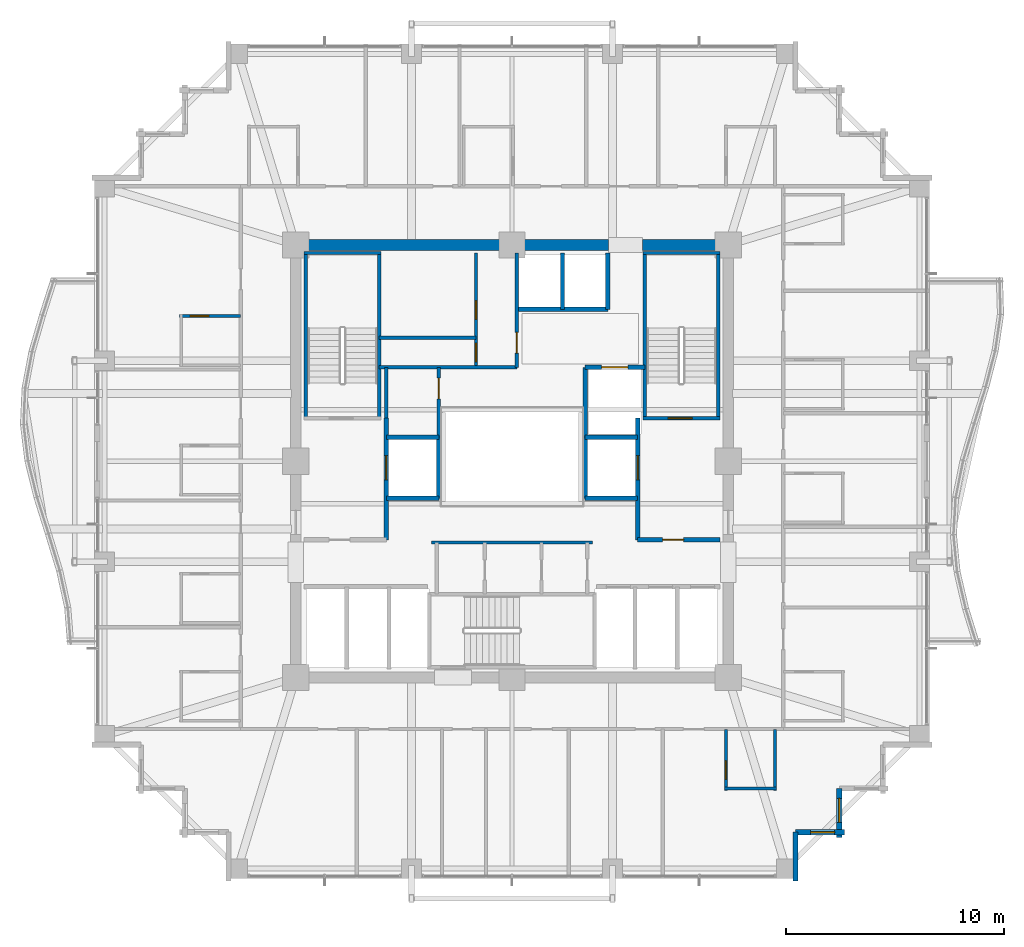
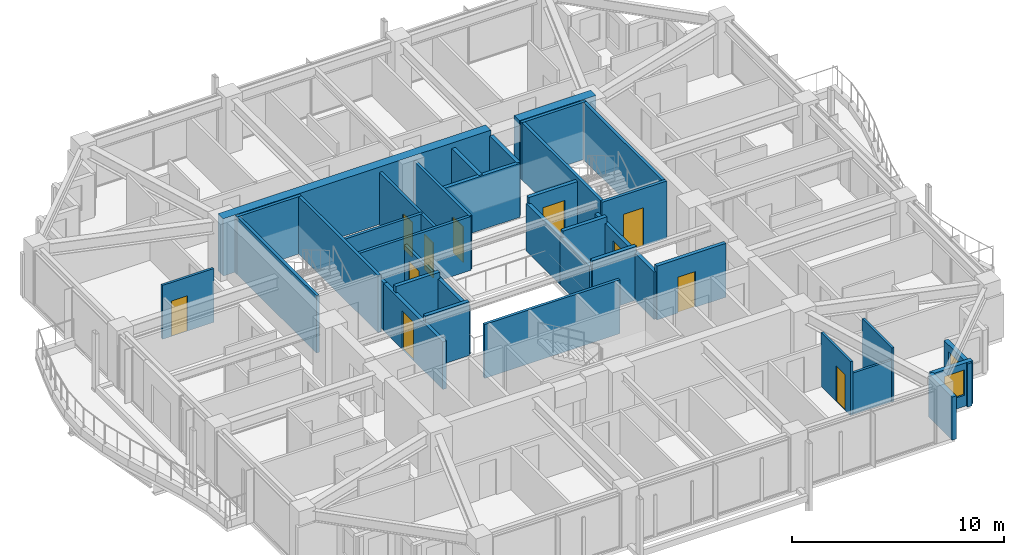
# One storey, part 32 of 37: 37 walls, 11 doors, 2 windows, 13 openings.
"""IFC4 building model written with IfcOpenShell, lengths in metres."""

from ifc_helpers import new_model, si_unit, direction, frame, frame_2d, origin, place, context, subcontext, project, spatial, rectangle, extrude, material, layer, layer_set, type_object, element, fill, save


model = new_model("IFC4")

# Units and contexts
model_context = context("Model", 3, precision=1e-05, world=origin(), true_north=direction((0.0, 1.0)))
body_context = subcontext(model_context, "Body", "Model", "MODEL_VIEW")
ifc_project = project(units=[si_unit("LENGTHUNIT", "METRE"), si_unit("AREAUNIT", "SQUARE_METRE"), si_unit("VOLUMEUNIT", "CUBIC_METRE"), si_unit("PLANEANGLEUNIT", "RADIAN"), si_unit("MASSUNIT", "GRAM", prefix="KILO")], contexts=[model_context])

# Site, building, storey
site_placement = place(None, origin())
site = spatial("IfcSite", under=ifc_project, at=site_placement, CompositionType="ELEMENT")
building_placement = place(site_placement, origin())
building = spatial("IfcBuilding", under=site, at=building_placement, Name="Kolvaren Belvedere", CompositionType="ELEMENT")
storey_placement = place(building_placement, frame((0.0, 0.0, 156.89990234375)))
storey = spatial("IfcBuildingStorey", under=building, at=storey_placement, Name="L45", CompositionType="ELEMENT", Elevation=156.89990234375)

# Walls
ifc_material_1 = material(Name="Concrete C50/60", Category="concrete")
ifc_layer_1 = layer(ifc_material_1, 0.5)
ifc_layer_set_1 = layer_set([ifc_layer_1], Name="Concrete C50/60")
wall_type_1 = type_object("IfcWallType", Name="CW-CORE-500", PredefinedType="SHEAR", material=ifc_layer_set_1)
wall_1_placement = place(storey_placement, frame((-10.14990234375, 9.89990234375, 0.0), z_axis=(0.0, 0.0, 1.0), x_axis=(1.0, 0.0, 0.0)))
element("IfcWall", 1, at=wall_1_placement, inside=storey, type_object=wall_type_1, Name="L45 North Core Shear Wall 1", PredefinedType="SHEAR", context=body_context, shape_type="SweptSolid", body=[
    extrude(rectangle(XDim=14.56982421875, YDim=0.5, at=frame_2d((7.284912109375, 0.0))), origin(), (0.0, 0.0, 1.0), 3.300048828125),
])
wall_2_placement = place(storey_placement, frame((5.97998046875, 9.89990234375, 0.0), z_axis=(0.0, 0.0, 1.0), x_axis=(1.0, 0.0, 0.0)))
element("IfcWall", 2, at=wall_2_placement, inside=storey, type_object=wall_type_1, Name="L45 North Core Shear Wall 2", PredefinedType="SHEAR", context=body_context, shape_type="SweptSolid", body=[
    extrude(rectangle(XDim=4.169921875, YDim=0.5, at=frame_2d((2.0849609375, 0.0))), origin(), (0.0, 0.0, 1.0), 3.300048828125),
])
ifc_material_2 = material(Name="Concrete C50/60", Category="concrete")
ifc_layer_2 = layer(ifc_material_2, 0.159912109375)
ifc_layer_set_2 = layer_set([ifc_layer_2], Name="Concrete C50/60")
wall_type_2 = type_object("IfcWallType", Name="CW-STAIR-160", PredefinedType="SHEAR", material=ifc_layer_set_2)
wall_3_placement = place(storey_placement, frame((-9.52001953125, 9.530029296875, 0.0), z_axis=(0.0, 0.0, 1.0), x_axis=(1.0, 0.0, 0.0)))
element("IfcWall", 3, at=wall_3_placement, inside=storey, type_object=wall_type_2, Name="L45 Stair ST-1 North Shear Wall", PredefinedType="SHEAR", context=body_context, shape_type="SweptSolid", body=[
    extrude(rectangle(XDim=3.52001953125, YDim=0.159912109375, at=frame_2d((1.760009765625, 0.0))), origin(), (0.0, 0.0, 1.0), 3.300048828125),
])
for number, where, z_axis, x_axis, name in (
    (4, (-9.429931640625, 1.969970703125, 0.0), (0.0, 0.0, 1.0), (0.0, 1.0, 0.0), "L45 Stair ST-1 West Shear Wall"),
    (5, (-6.080078125, 1.969970703125, 0.0), (0.0, 0.0, 1.0), (0.0, 1.0, 0.0), "L45 Stair ST-1 East Shear Wall"),
):
    element("IfcWall", number, at=place(storey_placement, frame(where, z_axis=z_axis, x_axis=x_axis)), inside=storey, type_object=wall_type_2, Name=name, PredefinedType="SHEAR", context=body_context, shape_type="SweptSolid", body=[
        extrude(rectangle(XDim=7.56005859375, YDim=0.159912109375, at=frame_2d((3.780029296875, 0.0))), origin(), (0.0, 0.0, 1.0), 3.300048828125),
    ])

# Wall, opening, door
wall_4_placement = place(storey_placement, frame((6.0, 1.969970703125, 0.0), z_axis=(0.0, 0.0, 1.0), x_axis=(1.0, 0.0, 0.0)))
wall_4 = element("IfcWall", 6, at=wall_4_placement, inside=storey, type_object=wall_type_2, Name="L45 Stair ST-2 South Shear Wall", PredefinedType="SHEAR", context=body_context, shape_type="SweptSolid", body=[
    extrude(rectangle(XDim=3.52001953125, YDim=0.159912109375, at=frame_2d((1.760009765625, 0.0))), origin(), (0.0, 0.0, 1.0), 3.300048828125),
])
opening_1_placement = place(wall_4_placement, frame((1.14990234375, 0.0, 0.0)))
opening_1 = element("IfcOpeningElement", 7, at=opening_1_placement, cuts=wall_4, Name="Opening D-FD90", PredefinedType="OPENING", context=body_context, shape_type="SweptSolid", body=[
    extrude(rectangle(XDim=1.10009765625, YDim=2.199951171875, at=frame_2d((0.550048828125, 1.10009765625))), frame((0.0, 0.08984375, 0.0), z_axis=(0.0, -1.0, 0.0), x_axis=(1.0, 0.0, 0.0)), (0.0, 0.0, 1.0), 0.179931640625),
])
ifc_material_3 = material(Name="Painted hollow stainless steel", Category="steel")
door_type_1 = type_object("IfcDoorType", Name="DR-FD90-1100", OperationType="NOTDEFINED", PredefinedType="DOOR", material=ifc_material_3)
door_1_placement = place(opening_1_placement, origin())
door_1 = element("IfcDoor", 8, at=door_1_placement, inside=storey, type_object=door_type_1, Name="L45 Stair ST-2 Fire Door", OperationType="SINGLE_SWING_RIGHT", OverallHeight=2.199951171875, OverallWidth=1.10009765625, PredefinedType="DOOR", context=body_context, shape_type="SweptSolid", body=[
    extrude(rectangle(XDim=1.10009765625, YDim=2.199951171875, at=frame_2d((0.550048828125, 1.10009765625))), frame((0.0, 0.02490234375, 0.0), z_axis=(0.0, -1.0, 0.0), x_axis=(1.0, 0.0, 0.0)), (0.0, 0.0, 1.0), 0.050048828125),
])
fill(opening_1, door_1)

# Walls
wall_5_placement = place(storey_placement, frame((6.0, 9.530029296875, 0.0), z_axis=(0.0, 0.0, 1.0), x_axis=(1.0, 0.0, 0.0)))
element("IfcWall", 9, at=wall_5_placement, inside=storey, type_object=wall_type_2, Name="L45 Stair ST-2 North Shear Wall", PredefinedType="SHEAR", context=body_context, shape_type="SweptSolid", body=[
    extrude(rectangle(XDim=3.52001953125, YDim=0.159912109375, at=frame_2d((1.760009765625, 0.0))), origin(), (0.0, 0.0, 1.0), 3.300048828125),
])
for number, where, z_axis, x_axis, name in (
    (10, (6.080078125, 1.969970703125, 0.0), (0.0, 0.0, 1.0), (0.0, 1.0, 0.0), "L45 Stair ST-2 West Shear Wall"),
    (11, (9.429931640625, 1.969970703125, 0.0), (0.0, 0.0, 1.0), (0.0, 1.0, 0.0), "L45 Stair ST-2 East Shear Wall"),
):
    element("IfcWall", number, at=place(storey_placement, frame(where, z_axis=z_axis, x_axis=x_axis)), inside=storey, type_object=wall_type_2, Name=name, PredefinedType="SHEAR", context=body_context, shape_type="SweptSolid", body=[
        extrude(rectangle(XDim=7.56005859375, YDim=0.159912109375, at=frame_2d((3.780029296875, 0.0))), origin(), (0.0, 0.0, 1.0), 3.300048828125),
    ])
ifc_material_4 = material(Name="Insulated pale-metal facade wall assembly", Category="aluminium")
ifc_layer_3 = layer(ifc_material_4, 0.239990234375)
ifc_layer_set_3 = layer_set([ifc_layer_3], Name="Insulated pale-metal facade wall assembly")
wall_type_3 = type_object("IfcWallType", Name="WL-EXT-240", PredefinedType="STANDARD", material=ifc_layer_set_3)
wall_6_placement = place(storey_placement, frame((12.97998046875, -16.97998046875, 0.0), z_axis=(0.0, 0.0, 1.0), x_axis=(0.0, -1.0, 0.0)))
element("IfcWall", 12, at=wall_6_placement, inside=storey, type_object=wall_type_3, Name="L45 Serrated Corner Facade Wall 2", PredefinedType="STANDARD", context=body_context, shape_type="SweptSolid", body=[
    extrude(rectangle(XDim=2.239990234375, YDim=0.239990234375, at=frame_2d((1.1201171875, 0.0))), origin(), (0.0, 0.0, 1.0), 2.483154296875),
])

# Wall, opening, window
wall_7_placement = place(storey_placement, frame((15.219970703125, -16.97998046875, 0.0), z_axis=(0.0, 0.0, 1.0), x_axis=(-1.0, 0.0, 0.0)))
wall_7 = element("IfcWall", 13, at=wall_7_placement, inside=storey, type_object=wall_type_3, Name="L45 Serrated Corner Facade Wall 3", PredefinedType="STANDARD", context=body_context, shape_type="SweptSolid", body=[
    extrude(rectangle(XDim=2.239990234375, YDim=0.239990234375, at=frame_2d((1.1201171875, 0.0))), origin(), (0.0, 0.0, 1.0), 2.483154296875),
])
opening_2_placement = place(wall_7_placement, frame((0.449951171875, 0.0, 0.64990234375)))
opening_2 = element("IfcOpeningElement", 14, at=opening_2_placement, cuts=wall_7, Name="Opening W-1100", PredefinedType="OPENING", context=body_context, shape_type="SweptSolid", body=[
    extrude(rectangle(XDim=1.10009765625, YDim=1.449951171875, at=frame_2d((0.550048828125, 0.72509765625))), frame((0.0, 0.1298828125, 0.0), z_axis=(0.0, -1.0, 0.0), x_axis=(1.0, 0.0, 0.0)), (0.0, 0.0, 1.0), 0.260009765625),
])
ifc_material_5 = material(Name="Low-iron triple insulated glass", Category="glass")
window_type = type_object("IfcWindowType", Name="WN-CORN-1100", PartitioningType="SINGLE_PANEL", PredefinedType="WINDOW", material=ifc_material_5)
window_1_placement = place(opening_2_placement, origin())
window_1 = element("IfcWindow", 15, at=window_1_placement, inside=storey, type_object=window_type, Name="L45 Serrated Corner Vision Window 3", OverallHeight=1.449951171875, OverallWidth=1.10009765625, PartitioningType="SINGLE_PANEL", PredefinedType="WINDOW", context=body_context, shape_type="SweptSolid", body=[
    extrude(rectangle(XDim=1.10009765625, YDim=1.449951171875, at=frame_2d((0.550048828125, 0.72509765625))), frame((0.0, 0.030029296875, 0.0), z_axis=(0.0, -1.0, 0.0), x_axis=(1.0, 0.0, 0.0)), (0.0, 0.0, 1.0), 0.06005859375),
])
fill(opening_2, window_1)

wall_8_placement = place(storey_placement, frame((14.97998046875, -14.97998046875, 0.0), z_axis=(0.0, 0.0, 1.0), x_axis=(0.0, -1.0, 0.0)))
wall_8 = element("IfcWall", 16, at=wall_8_placement, inside=storey, type_object=wall_type_3, Name="L45 Serrated Corner Facade Wall 4", PredefinedType="STANDARD", context=body_context, shape_type="SweptSolid", body=[
    extrude(rectangle(XDim=2.239990234375, YDim=0.239990234375, at=frame_2d((1.1201171875, 0.0))), origin(), (0.0, 0.0, 1.0), 2.483154296875),
])
opening_3_placement = place(wall_8_placement, frame((0.449951171875, 0.0, 0.64990234375)))
opening_3 = element("IfcOpeningElement", 17, at=opening_3_placement, cuts=wall_8, Name="Opening W-1100", PredefinedType="OPENING", context=body_context, shape_type="SweptSolid", body=[
    extrude(rectangle(XDim=1.10009765625, YDim=1.449951171875, at=frame_2d((0.550048828125, 0.72509765625))), frame((0.0, 0.1298828125, 0.0), z_axis=(0.0, -1.0, 0.0), x_axis=(1.0, 0.0, 0.0)), (0.0, 0.0, 1.0), 0.260009765625),
])
window_2_placement = place(opening_3_placement, origin())
window_2 = element("IfcWindow", 18, at=window_2_placement, inside=storey, type_object=window_type, Name="L45 Serrated Corner Vision Window 4", OverallHeight=1.449951171875, OverallWidth=1.10009765625, PartitioningType="SINGLE_PANEL", PredefinedType="WINDOW", context=body_context, shape_type="SweptSolid", body=[
    extrude(rectangle(XDim=1.10009765625, YDim=1.449951171875, at=frame_2d((0.550048828125, 0.72509765625))), frame((0.0, 0.030029296875, 0.0), z_axis=(0.0, -1.0, 0.0), x_axis=(1.0, 0.0, 0.0)), (0.0, 0.0, 1.0), 0.06005859375),
])
fill(opening_3, window_2)

# Wall
ifc_material_6 = material(Name="Gypsum acoustic partition assembly", Category="gypsum")
ifc_layer_4 = layer(ifc_material_6, 0.14990234375)
ifc_layer_set_4 = layer_set([ifc_layer_4], Name="Gypsum acoustic partition assembly")
wall_type_4 = type_object("IfcWallType", Name="WL-PART-150", PredefinedType="PARTITIONING", material=ifc_layer_set_4)
wall_9_placement = place(storey_placement, frame((-6.080078125, 4.300048828125, 0.0), z_axis=(0.0, 0.0, 1.0), x_axis=(1.0, 0.0, 0.0)))
element("IfcWall", 19, at=wall_9_placement, inside=storey, type_object=wall_type_4, Name="L45 Reclaimed Salon South Wall", PredefinedType="PARTITIONING", context=body_context, shape_type="SweptSolid", body=[
    extrude(rectangle(XDim=6.300048828125, YDim=0.14990234375, at=frame_2d((3.14990234375, 0.0))), origin(), (0.0, 0.0, 1.0), 3.10009765625),
])

# Wall, opening, door
wall_10_placement = place(storey_placement, frame((0.219970703125, 4.300048828125, 0.0), z_axis=(0.0, 0.0, 1.0), x_axis=(0.0, 1.0, 0.0)))
wall_10 = element("IfcWall", 20, at=wall_10_placement, inside=storey, type_object=wall_type_4, Name="L45 Reclaimed Salon East Wall", PredefinedType="PARTITIONING", context=body_context, shape_type="SweptSolid", body=[
    extrude(rectangle(XDim=5.219970703125, YDim=0.14990234375, at=frame_2d((2.60986328125, 0.0))), origin(), (0.0, 0.0, 1.0), 3.10009765625),
])
opening_4_placement = place(wall_10_placement, frame((0.64990234375, 0.0, 0.0)))
opening_4 = element("IfcOpeningElement", 21, at=opening_4_placement, cuts=wall_10, Name="Opening D-INT95", PredefinedType="OPENING", context=body_context, shape_type="SweptSolid", body=[
    extrude(rectangle(XDim=0.949951171875, YDim=2.06005859375, at=frame_2d((0.47509765625, 1.030029296875))), frame((0.0, 0.0849609375, 0.0), z_axis=(0.0, -1.0, 0.0), x_axis=(1.0, 0.0, 0.0)), (0.0, 0.0, 1.0), 0.169921875),
])
ifc_material_7 = material(Name="Stained Pacific white oak", Category="timber")
door_type_2 = type_object("IfcDoorType", Name="DR-INT-950", OperationType="NOTDEFINED", PredefinedType="DOOR", material=ifc_material_7)
door_2_placement = place(opening_4_placement, origin())
door_2 = element("IfcDoor", 22, at=door_2_placement, inside=storey, type_object=door_type_2, Name="L45 Wellness Tearoom Door", OperationType="SINGLE_SWING_LEFT", OverallHeight=2.06005859375, OverallWidth=0.949951171875, PredefinedType="DOOR", context=body_context, shape_type="SweptSolid", body=[
    extrude(rectangle(XDim=0.949951171875, YDim=2.06005859375, at=frame_2d((0.47509765625, 1.030029296875))), frame((0.0, 0.02490234375, 0.0), z_axis=(0.0, -1.0, 0.0), x_axis=(1.0, 0.0, 0.0)), (0.0, 0.0, 1.0), 0.050048828125),
])
fill(opening_4, door_2)

# Wall, openings, doors
wall_11_placement = place(storey_placement, frame((-1.64990234375, 4.300048828125, 0.0), z_axis=(0.0, 0.0, 1.0), x_axis=(0.0, 1.0, 0.0)))
wall_11 = element("IfcWall", 23, at=wall_11_placement, inside=storey, type_object=wall_type_4, Name="L45 Reclaimed Tearoom V-Divider", PredefinedType="PARTITIONING", context=body_context, shape_type="SweptSolid", body=[
    extrude(rectangle(XDim=5.219970703125, YDim=0.14990234375, at=frame_2d((2.60986328125, 0.0))), origin(), (0.0, 0.0, 1.0), 3.10009765625),
])
opening_5_placement = place(wall_11_placement, frame((2.199951171875, 0.0, 0.0)))
opening_5 = element("IfcOpeningElement", 24, at=opening_5_placement, cuts=wall_11, Name="Opening D-INT85", PredefinedType="OPENING", context=body_context, shape_type="SweptSolid", body=[
    extrude(rectangle(XDim=0.85009765625, YDim=2.030029296875, at=frame_2d((0.425048828125, 1.01513671875))), frame((0.0, 0.0849609375, 0.0), z_axis=(0.0, -1.0, 0.0), x_axis=(1.0, 0.0, 0.0)), (0.0, 0.0, 1.0), 0.169921875),
])
opening_6_placement = place(wall_11_placement, frame((0.25, 0.0, 0.0)))
opening_6 = element("IfcOpeningElement", 25, at=opening_6_placement, cuts=wall_11, Name="Opening D-INT85", PredefinedType="OPENING", context=body_context, shape_type="SweptSolid", body=[
    extrude(rectangle(XDim=0.85009765625, YDim=2.030029296875, at=frame_2d((0.425048828125, 1.01513671875))), frame((0.0, 0.0849609375, 0.0), z_axis=(0.0, -1.0, 0.0), x_axis=(1.0, 0.0, 0.0)), (0.0, 0.0, 1.0), 0.169921875),
])
ifc_material_8 = material(Name="Stained Pacific white oak", Category="timber")
door_type_3 = type_object("IfcDoorType", Name="DR-INT-850", OperationType="NOTDEFINED", PredefinedType="DOOR", material=ifc_material_8)
door_3_placement = place(opening_5_placement, origin())
door_3 = element("IfcDoor", 26, at=door_3_placement, inside=storey, type_object=door_type_3, Name="L45 Meditation Room Door", OperationType="SINGLE_SWING_RIGHT", OverallHeight=2.030029296875, OverallWidth=0.85009765625, PredefinedType="DOOR", context=body_context, shape_type="SweptSolid", body=[
    extrude(rectangle(XDim=0.85009765625, YDim=2.030029296875, at=frame_2d((0.425048828125, 1.01513671875))), frame((0.0, 0.02490234375, 0.0), z_axis=(0.0, -1.0, 0.0), x_axis=(1.0, 0.0, 0.0)), (0.0, 0.0, 1.0), 0.050048828125),
])
fill(opening_5, door_3)
door_4_placement = place(opening_6_placement, origin())
door_4 = element("IfcDoor", 27, at=door_4_placement, inside=storey, type_object=door_type_3, Name="L45 Herbal Closet Door", OperationType="SINGLE_SWING_RIGHT", OverallHeight=2.030029296875, OverallWidth=0.85009765625, PredefinedType="DOOR", context=body_context, shape_type="SweptSolid", body=[
    extrude(rectangle(XDim=0.85009765625, YDim=2.030029296875, at=frame_2d((0.425048828125, 1.01513671875))), frame((0.0, 0.02490234375, 0.0), z_axis=(0.0, -1.0, 0.0), x_axis=(1.0, 0.0, 0.0)), (0.0, 0.0, 1.0), 0.050048828125),
])
fill(opening_6, door_4)

# Walls
wall_12_placement = place(storey_placement, frame((-6.080078125, 5.64990234375, 0.0), z_axis=(0.0, 0.0, 1.0), x_axis=(1.0, 0.0, 0.0)))
element("IfcWall", 28, at=wall_12_placement, inside=storey, type_object=wall_type_4, Name="L45 Reclaimed Tearoom H-Divider", PredefinedType="PARTITIONING", context=body_context, shape_type="SweptSolid", body=[
    extrude(rectangle(XDim=4.43017578125, YDim=0.14990234375, at=frame_2d((2.215087890625, 0.0))), origin(), (0.0, 0.0, 1.0), 3.10009765625),
])
wall_13_placement = place(storey_placement, frame((-3.679931640625, -3.719970703125, 0.0), z_axis=(0.0, 0.0, 1.0), x_axis=(1.0, 0.0, 0.0)))
element("IfcWall", 29, at=wall_13_placement, inside=storey, type_object=wall_type_4, Name="L45 South Core Service North Wall", PredefinedType="PARTITIONING", context=body_context, shape_type="SweptSolid", body=[
    extrude(rectangle(XDim=7.35986328125, YDim=0.14990234375, at=frame_2d((3.679931640625, 0.0))), origin(), (0.0, 0.0, 1.0), 3.10009765625),
])

# Wall, opening, door
wall_14_placement = place(storey_placement, frame((-3.35009765625, 1.10009765625, 0.0), z_axis=(0.0, 0.0, 1.0), x_axis=(0.0, 1.0, 0.0)))
wall_14 = element("IfcWall", 30, at=wall_14_placement, inside=storey, type_object=wall_type_4, Name="L45 NW Service Room East Wall", PredefinedType="PARTITIONING", context=body_context, shape_type="SweptSolid", body=[
    extrude(rectangle(XDim=3.199951171875, YDim=0.14990234375, at=frame_2d((1.60009765625, 0.0))), origin(), (0.0, 0.0, 1.0), 2.735107421875),
])
opening_7_placement = place(wall_14_placement, frame((1.75, 0.0, 0.0)))
opening_7 = element("IfcOpeningElement", 31, at=opening_7_placement, cuts=wall_14, Name="Opening D-FD60", PredefinedType="OPENING", context=body_context, shape_type="SweptSolid", body=[
    extrude(rectangle(XDim=0.949951171875, YDim=2.06005859375, at=frame_2d((0.47509765625, 1.030029296875))), frame((0.0, 0.0849609375, 0.0), z_axis=(0.0, -1.0, 0.0), x_axis=(1.0, 0.0, 0.0)), (0.0, 0.0, 1.0), 0.169921875),
])
ifc_material_9 = material(Name="Acoustic white-oak fire door leaf", Category="timber")
door_type_4 = type_object("IfcDoorType", Name="DR-FD60-950", OperationType="NOTDEFINED", PredefinedType="DOOR", material=ifc_material_9)
door_5_placement = place(opening_7_placement, origin())
door_5 = element("IfcDoor", 32, at=door_5_placement, inside=storey, type_object=door_type_4, Name="L45 NW Core Store Door", OperationType="SINGLE_SWING_LEFT", OverallHeight=2.06005859375, OverallWidth=0.949951171875, PredefinedType="DOOR", context=body_context, shape_type="SweptSolid", body=[
    extrude(rectangle(XDim=0.949951171875, YDim=2.06005859375, at=frame_2d((0.47509765625, 1.030029296875))), frame((0.0, 0.02490234375, 0.0), z_axis=(0.0, -1.0, 0.0), x_axis=(1.0, 0.0, 0.0)), (0.0, 0.0, 1.0), 0.050048828125),
])
fill(opening_7, door_5)

# Wall
wall_15_placement = place(storey_placement, frame((-5.75, 1.969970703125, 0.0), z_axis=(0.0, 0.0, 1.0), x_axis=(0.0, 1.0, 0.0)))
element("IfcWall", 33, at=wall_15_placement, inside=storey, type_object=wall_type_4, Name="L45 NW Service Room West Wall", PredefinedType="PARTITIONING", context=body_context, shape_type="SweptSolid", body=[
    extrude(rectangle(XDim=2.330078125, YDim=0.14990234375, at=frame_2d((1.1650390625, 0.0))), origin(), (0.0, 0.0, 1.0), 2.735107421875),
])

# Wall, opening, door
ifc_material_10 = material(Name="Concrete C50/60", Category="concrete")
ifc_layer_5 = layer(ifc_material_10, 0.199951171875)
ifc_layer_set_5 = layer_set([ifc_layer_5], Name="Concrete C50/60")
wall_type_5 = type_object("IfcWallType", Name="WL-SHAFT-200", PredefinedType="SOLIDWALL", material=ifc_layer_set_5)
wall_16_placement = place(storey_placement, frame((-5.75, -3.60009765625, 0.0), z_axis=(0.0, 0.0, 1.0), x_axis=(0.0, 1.0, 0.0)))
wall_16 = element("IfcWall", 34, at=wall_16_placement, inside=storey, type_object=wall_type_5, Name="L45 FSAE FS1 Landing Wall", PredefinedType="SOLIDWALL", context=body_context, shape_type="SweptSolid", body=[
    extrude(rectangle(XDim=5.570068359375, YDim=0.199951171875, at=frame_2d((2.78515625, 0.0))), origin(), (0.0, 0.0, 1.0), 2.735107421875),
])
opening_8_placement = place(wall_16_placement, frame((2.75, 0.0, 0.0)))
opening_8 = element("IfcOpeningElement", 35, at=opening_8_placement, cuts=wall_16, Name="Opening LD-11", PredefinedType="OPENING", context=body_context, shape_type="SweptSolid", body=[
    extrude(rectangle(XDim=1.10009765625, YDim=2.199951171875, at=frame_2d((0.550048828125, 1.10009765625))), frame((0.0, 0.10986328125, 0.0), z_axis=(0.0, -1.0, 0.0), x_axis=(1.0, 0.0, 0.0)), (0.0, 0.0, 1.0), 0.219970703125),
])
ifc_material_11 = material(Name="Brushed stainless steel", Category="steel")
door_type_5 = type_object("IfcDoorType", Name="DR-LIFT-1100", OperationType="DOUBLE_DOOR_SLIDING", PredefinedType="DOOR", material=ifc_material_11)
door_6_placement = place(opening_8_placement, origin())
door_6 = element("IfcDoor", 36, at=door_6_placement, inside=storey, type_object=door_type_5, Name="L45 Firefighting Lift FS1 Landing Door", OperationType="DOUBLE_DOOR_SLIDING", OverallHeight=2.199951171875, OverallWidth=1.10009765625, PredefinedType="DOOR", context=body_context, shape_type="SweptSolid", body=[
    extrude(rectangle(XDim=1.10009765625, YDim=2.199951171875, at=frame_2d((0.550048828125, 1.10009765625))), frame((0.0, 0.02490234375, 0.0), z_axis=(0.0, -1.0, 0.0), x_axis=(1.0, 0.0, 0.0)), (0.0, 0.0, 1.0), 0.050048828125),
])
fill(opening_8, door_6)

# Walls
wall_17_placement = place(storey_placement, frame((-3.35009765625, -1.699951171875, 0.0), z_axis=(0.0, 0.0, 1.0), x_axis=(0.0, 1.0, 0.0)))
element("IfcWall", 37, at=wall_17_placement, inside=storey, type_object=wall_type_5, Name="L45 FSAE FS1 Back Wall", PredefinedType="SOLIDWALL", context=body_context, shape_type="SweptSolid", body=[
    extrude(rectangle(XDim=2.800048828125, YDim=0.199951171875, at=frame_2d((1.39990234375, 0.0))), origin(), (0.0, 0.0, 1.0), 2.735107421875),
])
for number, where, z_axis, x_axis, name in (
    (38, (-5.75, -1.699951171875, 0.0), (0.0, 0.0, 1.0), (1.0, 0.0, 0.0), "L45 FSAE FS1 South Wall"),
    (39, (-5.75, 1.10009765625, 0.0), (0.0, 0.0, 1.0), (1.0, 0.0, 0.0), "L45 FSAE FS1 North Wall"),
):
    element("IfcWall", number, at=place(storey_placement, frame(where, z_axis=z_axis, x_axis=x_axis)), inside=storey, type_object=wall_type_5, Name=name, PredefinedType="SOLIDWALL", context=body_context, shape_type="SweptSolid", body=[
        extrude(rectangle(XDim=2.39990234375, YDim=0.199951171875, at=frame_2d((1.199951171875, 0.0))), origin(), (0.0, 0.0, 1.0), 3.10009765625),
    ])

# Wall, opening, door
wall_18_placement = place(storey_placement, frame((5.75, -3.60009765625, 0.0), z_axis=(0.0, 0.0, 1.0), x_axis=(1.0, 0.0, 0.0)))
wall_18 = element("IfcWall", 40, at=wall_18_placement, inside=storey, type_object=wall_type_5, Name="L45 East FSAE Lobby South Wall", PredefinedType="SOLIDWALL", context=body_context, shape_type="SweptSolid", body=[
    extrude(rectangle(XDim=3.77001953125, YDim=0.199951171875, at=frame_2d((1.885009765625, 0.0))), origin(), (0.0, 0.0, 1.0), 3.10009765625),
])
opening_9_placement = place(wall_18_placement, frame((1.14990234375, 0.0, 0.0)))
opening_9 = element("IfcOpeningElement", 41, at=opening_9_placement, cuts=wall_18, Name="Opening D-FD60", PredefinedType="OPENING", context=body_context, shape_type="SweptSolid", body=[
    extrude(rectangle(XDim=0.949951171875, YDim=2.06005859375, at=frame_2d((0.47509765625, 1.030029296875))), frame((0.0, 0.10986328125, 0.0), z_axis=(0.0, -1.0, 0.0), x_axis=(1.0, 0.0, 0.0)), (0.0, 0.0, 1.0), 0.219970703125),
])
door_7_placement = place(opening_9_placement, origin())
door_7 = element("IfcDoor", 42, at=door_7_placement, inside=storey, type_object=door_type_4, Name="L45 SE Lift Lobby Fire Door", OperationType="SINGLE_SWING_RIGHT", OverallHeight=2.06005859375, OverallWidth=0.949951171875, PredefinedType="DOOR", context=body_context, shape_type="SweptSolid", body=[
    extrude(rectangle(XDim=0.949951171875, YDim=2.06005859375, at=frame_2d((0.47509765625, 1.030029296875))), frame((0.0, 0.02490234375, 0.0), z_axis=(0.0, -1.0, 0.0), x_axis=(1.0, 0.0, 0.0)), (0.0, 0.0, 1.0), 0.050048828125),
])
fill(opening_9, door_7)

wall_19_placement = place(storey_placement, frame((5.75, -3.60009765625, 0.0), z_axis=(0.0, 0.0, 1.0), x_axis=(0.0, 1.0, 0.0)))
wall_19 = element("IfcWall", 43, at=wall_19_placement, inside=storey, type_object=wall_type_5, Name="L45 FSAE FS2 Landing Wall", PredefinedType="SOLIDWALL", context=body_context, shape_type="SweptSolid", body=[
    extrude(rectangle(XDim=5.570068359375, YDim=0.199951171875, at=frame_2d((2.78515625, 0.0))), origin(), (0.0, 0.0, 1.0), 2.735107421875),
])
opening_10_placement = place(wall_19_placement, frame((2.75, 0.0, 0.0)))
opening_10 = element("IfcOpeningElement", 44, at=opening_10_placement, cuts=wall_19, Name="Opening LD-11", PredefinedType="OPENING", context=body_context, shape_type="SweptSolid", body=[
    extrude(rectangle(XDim=1.10009765625, YDim=2.199951171875, at=frame_2d((0.550048828125, 1.10009765625))), frame((0.0, 0.10986328125, 0.0), z_axis=(0.0, -1.0, 0.0), x_axis=(1.0, 0.0, 0.0)), (0.0, 0.0, 1.0), 0.219970703125),
])
door_8_placement = place(opening_10_placement, origin())
door_8 = element("IfcDoor", 45, at=door_8_placement, inside=storey, type_object=door_type_5, Name="L45 Firefighting Lift FS2 Landing Door", OperationType="DOUBLE_DOOR_SLIDING", OverallHeight=2.199951171875, OverallWidth=1.10009765625, PredefinedType="DOOR", context=body_context, shape_type="SweptSolid", body=[
    extrude(rectangle(XDim=1.10009765625, YDim=2.199951171875, at=frame_2d((0.550048828125, 1.10009765625))), frame((0.0, 0.02490234375, 0.0), z_axis=(0.0, -1.0, 0.0), x_axis=(1.0, 0.0, 0.0)), (0.0, 0.0, 1.0), 0.050048828125),
])
fill(opening_10, door_8)

# Walls
wall_20_placement = place(storey_placement, frame((3.35009765625, -1.699951171875, 0.0), z_axis=(0.0, 0.0, 1.0), x_axis=(0.0, 1.0, 0.0)))
element("IfcWall", 46, at=wall_20_placement, inside=storey, type_object=wall_type_5, Name="L45 FSAE FS2 Back Wall", PredefinedType="SOLIDWALL", context=body_context, shape_type="SweptSolid", body=[
    extrude(rectangle(XDim=2.800048828125, YDim=0.199951171875, at=frame_2d((1.39990234375, 0.0))), origin(), (0.0, 0.0, 1.0), 2.735107421875),
])
for number, where, z_axis, x_axis, name in (
    (47, (3.35009765625, -1.699951171875, 0.0), (0.0, 0.0, 1.0), (1.0, 0.0, 0.0), "L45 FSAE FS2 South Wall"),
    (48, (3.35009765625, 1.10009765625, 0.0), (0.0, 0.0, 1.0), (1.0, 0.0, 0.0), "L45 FSAE FS2 North Wall"),
):
    element("IfcWall", number, at=place(storey_placement, frame(where, z_axis=z_axis, x_axis=x_axis)), inside=storey, type_object=wall_type_5, Name=name, PredefinedType="SOLIDWALL", context=body_context, shape_type="SweptSolid", body=[
        extrude(rectangle(XDim=2.39990234375, YDim=0.199951171875, at=frame_2d((1.199951171875, 0.0))), origin(), (0.0, 0.0, 1.0), 3.10009765625),
    ])

# Wall, opening, door
wall_21_placement = place(storey_placement, frame((3.35009765625, 4.300048828125, 0.0), z_axis=(0.0, 0.0, 1.0), x_axis=(1.0, 0.0, 0.0)))
wall_21 = element("IfcWall", 49, at=wall_21_placement, inside=storey, type_object=wall_type_5, Name="L45 Service Lift SV1 Front Wall", PredefinedType="SOLIDWALL", context=body_context, shape_type="SweptSolid", body=[
    extrude(rectangle(XDim=2.72998046875, YDim=0.199951171875, at=frame_2d((1.364990234375, 0.0))), origin(), (0.0, 0.0, 1.0), 3.10009765625),
])
opening_11_placement = place(wall_21_placement, frame((0.75, 0.0, 0.0)))
opening_11 = element("IfcOpeningElement", 50, at=opening_11_placement, cuts=wall_21, Name="Opening LD-12", PredefinedType="OPENING", context=body_context, shape_type="SweptSolid", body=[
    extrude(rectangle(XDim=1.199951171875, YDim=2.25, at=frame_2d((0.60009765625, 1.125))), frame((0.0, 0.10986328125, 0.0), z_axis=(0.0, -1.0, 0.0), x_axis=(1.0, 0.0, 0.0)), (0.0, 0.0, 1.0), 0.219970703125),
])
ifc_material_12 = material(Name="Brushed stainless steel", Category="steel")
door_type_6 = type_object("IfcDoorType", Name="DR-LIFT-1200", OperationType="DOUBLE_DOOR_SLIDING", PredefinedType="DOOR", material=ifc_material_12)
door_9_placement = place(opening_11_placement, origin())
door_9 = element("IfcDoor", 51, at=door_9_placement, inside=storey, type_object=door_type_6, Name="L45 Service Lift SV1 Landing Door", OperationType="DOUBLE_DOOR_SLIDING", OverallHeight=2.25, OverallWidth=1.199951171875, PredefinedType="DOOR", context=body_context, shape_type="SweptSolid", body=[
    extrude(rectangle(XDim=1.199951171875, YDim=2.25, at=frame_2d((0.60009765625, 1.125))), frame((0.0, 0.02490234375, 0.0), z_axis=(0.0, -1.0, 0.0), x_axis=(1.0, 0.0, 0.0)), (0.0, 0.0, 1.0), 0.050048828125),
])
fill(opening_11, door_9)

# Walls
wall_22_placement = place(storey_placement, frame((3.35009765625, 1.10009765625, 0.0), z_axis=(0.0, 0.0, 1.0), x_axis=(0.0, 1.0, 0.0)))
element("IfcWall", 52, at=wall_22_placement, inside=storey, type_object=wall_type_5, Name="L45 Service Lift SV1 West Wall", PredefinedType="SOLIDWALL", context=body_context, shape_type="SweptSolid", body=[
    extrude(rectangle(XDim=3.199951171875, YDim=0.199951171875, at=frame_2d((1.60009765625, 0.0))), origin(), (0.0, 0.0, 1.0), 2.735107421875),
])
wall_23_placement = place(storey_placement, frame((0.219970703125, 6.949951171875, 0.0), z_axis=(0.0, 0.0, 1.0), x_axis=(1.0, 0.0, 0.0)))
element("IfcWall", 53, at=wall_23_placement, inside=storey, type_object=wall_type_5, Name="L45 Express Shuttle Hoistway Wall", PredefinedType="SOLIDWALL", context=body_context, shape_type="SweptSolid", body=[
    extrude(rectangle(XDim=4.179931640625, YDim=0.199951171875, at=frame_2d((2.08984375, 0.0))), origin(), (0.0, 0.0, 1.0), 3.10009765625),
])
for number, where, z_axis, x_axis, name in (
    (54, (4.3798828125, 6.949951171875, 0.0), (0.0, 0.0, 1.0), (0.0, 1.0, 0.0), "L45 Express Shuttle East Wall"),
    (55, (2.31005859375, 6.949951171875, 0.0), (0.0, 0.0, 1.0), (0.0, 1.0, 0.0), "L45 Express Shuttle Divider"),
):
    element("IfcWall", number, at=place(storey_placement, frame(where, z_axis=z_axis, x_axis=x_axis)), inside=storey, type_object=wall_type_5, Name=name, PredefinedType="SOLIDWALL", context=body_context, shape_type="SweptSolid", body=[
        extrude(rectangle(XDim=2.570068359375, YDim=0.199951171875, at=frame_2d((1.28515625, 0.0))), origin(), (0.0, 0.0, 1.0), 3.10009765625),
    ])

# Wall, opening, door
ifc_material_13 = material(Name="Moisture-resistant gypsum partition", Category="gypsum")
ifc_layer_6 = layer(ifc_material_13, 0.125)
ifc_layer_set_6 = layer_set([ifc_layer_6], Name="Moisture-resistant gypsum partition")
wall_type_6 = type_object("IfcWallType", Name="WL-WET-125", PredefinedType="PARTITIONING", material=ifc_layer_set_6)
wall_24_placement = place(storey_placement, frame((9.791015625, -15.06494140625, 0.0), z_axis=(0.0, 0.0, 1.0), x_axis=(0.0, 1.0, 0.0)))
wall_24 = element("IfcWall", 56, at=wall_24_placement, inside=storey, type_object=wall_type_6, Name="L45 Bathroom Partition PW-L45-BTH-4-E", PredefinedType="PARTITIONING", context=body_context, shape_type="SweptSolid", body=[
    extrude(rectangle(XDim=2.7900390625, YDim=0.125, at=frame_2d((1.39501953125, 0.0))), origin(), (0.0, 0.0, 1.0), 3.10009765625),
])
opening_12_placement = place(wall_24_placement, frame((0.5, 0.0, 0.0)))
opening_12 = element("IfcOpeningElement", 57, at=opening_12_placement, cuts=wall_24, Name="Opening D-BTH85", PredefinedType="OPENING", context=body_context, shape_type="SweptSolid", body=[
    extrude(rectangle(XDim=0.85009765625, YDim=2.030029296875, at=frame_2d((0.425048828125, 1.01513671875))), frame((0.0, 0.072509765625, 0.0), z_axis=(0.0, -1.0, 0.0), x_axis=(1.0, 0.0, 0.0)), (0.0, 0.0, 1.0), 0.14501953125),
])
ifc_material_14 = material(Name="Moisture-sealed Pacific white oak", Category="timber")
door_type_7 = type_object("IfcDoorType", Name="DR-BATH-850", OperationType="NOTDEFINED", PredefinedType="DOOR", material=ifc_material_14)
door_10_placement = place(opening_12_placement, origin())
door_10 = element("IfcDoor", 58, at=door_10_placement, inside=storey, type_object=door_type_7, Name="L45 En-Suite Bathroom 4504 Door", OperationType="SINGLE_SWING_RIGHT", OverallHeight=2.030029296875, OverallWidth=0.85009765625, PredefinedType="DOOR", context=body_context, shape_type="SweptSolid", body=[
    extrude(rectangle(XDim=0.85009765625, YDim=2.030029296875, at=frame_2d((0.425048828125, 1.01513671875))), frame((0.0, 0.02490234375, 0.0), z_axis=(0.0, -1.0, 0.0), x_axis=(1.0, 0.0, 0.0)), (0.0, 0.0, 1.0), 0.050048828125),
])
fill(opening_12, door_10)

# Walls
wall_25_placement = place(storey_placement, frame((9.73095703125, -14.985107421875, 0.0), z_axis=(0.0, 0.0, 1.0), x_axis=(1.0, 0.0, 0.0)))
element("IfcWall", 59, at=wall_25_placement, inside=storey, type_object=wall_type_6, Name="L45 Bathroom Partition PW-L45-BTH-4-H", PredefinedType="PARTITIONING", context=body_context, shape_type="SweptSolid", body=[
    extrude(rectangle(XDim=2.3701171875, YDim=0.125, at=frame_2d((1.18505859375, 0.0))), origin(), (0.0, 0.0, 1.0), 2.38916015625),
])
wall_26_placement = place(storey_placement, frame((12.041015625, -15.06494140625, 0.0), z_axis=(0.0, 0.0, 1.0), x_axis=(0.0, 1.0, 0.0)))
element("IfcWall", 60, at=wall_26_placement, inside=storey, type_object=wall_type_6, Name="L45 Bathroom Partition PW-L45-BTH-4-W", PredefinedType="PARTITIONING", context=body_context, shape_type="SweptSolid", body=[
    extrude(rectangle(XDim=2.7900390625, YDim=0.125, at=frame_2d((1.39501953125, 0.0))), origin(), (0.0, 0.0, 1.0), 3.10009765625),
])

# Wall, opening, door
wall_27_placement = place(storey_placement, frame((-15.22509765625, 6.64501953125, 0.0), z_axis=(0.0, 0.0, 1.0), x_axis=(1.0, 0.0, 0.0)))
wall_27 = element("IfcWall", 61, at=wall_27_placement, inside=storey, type_object=wall_type_6, Name="L45 Bathroom Partition PW-L45-BTH-13-N", PredefinedType="PARTITIONING", context=body_context, shape_type="SweptSolid", body=[
    extrude(rectangle(XDim=2.7900390625, YDim=0.125, at=frame_2d((1.39501953125, 0.0))), origin(), (0.0, 0.0, 1.0), 3.10009765625),
])
opening_13_placement = place(wall_27_placement, frame((0.5, 0.0, 0.0)))
opening_13 = element("IfcOpeningElement", 62, at=opening_13_placement, cuts=wall_27, Name="Opening D-BTH85", PredefinedType="OPENING", context=body_context, shape_type="SweptSolid", body=[
    extrude(rectangle(XDim=0.85009765625, YDim=2.030029296875, at=frame_2d((0.425048828125, 1.01513671875))), frame((0.0, 0.072509765625, 0.0), z_axis=(0.0, -1.0, 0.0), x_axis=(1.0, 0.0, 0.0)), (0.0, 0.0, 1.0), 0.14501953125),
])
door_11_placement = place(opening_13_placement, origin())
door_11 = element("IfcDoor", 63, at=door_11_placement, inside=storey, type_object=door_type_7, Name="L45 En-Suite Bathroom 4513 Door", OperationType="SINGLE_SWING_LEFT", OverallHeight=2.030029296875, OverallWidth=0.85009765625, PredefinedType="DOOR", context=body_context, shape_type="SweptSolid", body=[
    extrude(rectangle(XDim=0.85009765625, YDim=2.030029296875, at=frame_2d((0.425048828125, 1.01513671875))), frame((0.0, 0.02490234375, 0.0), z_axis=(0.0, -1.0, 0.0), x_axis=(1.0, 0.0, 0.0)), (0.0, 0.0, 1.0), 0.050048828125),
])
fill(opening_13, door_11)

save(model, "model.ifc")
